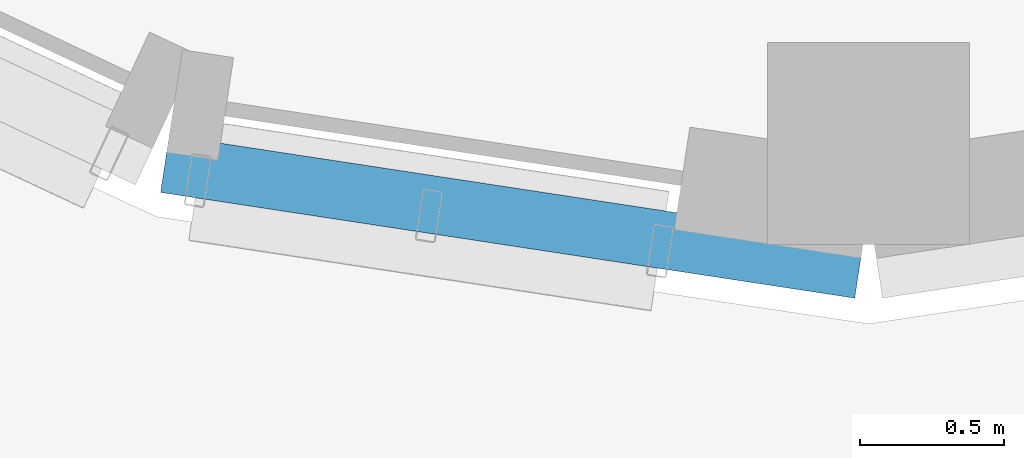
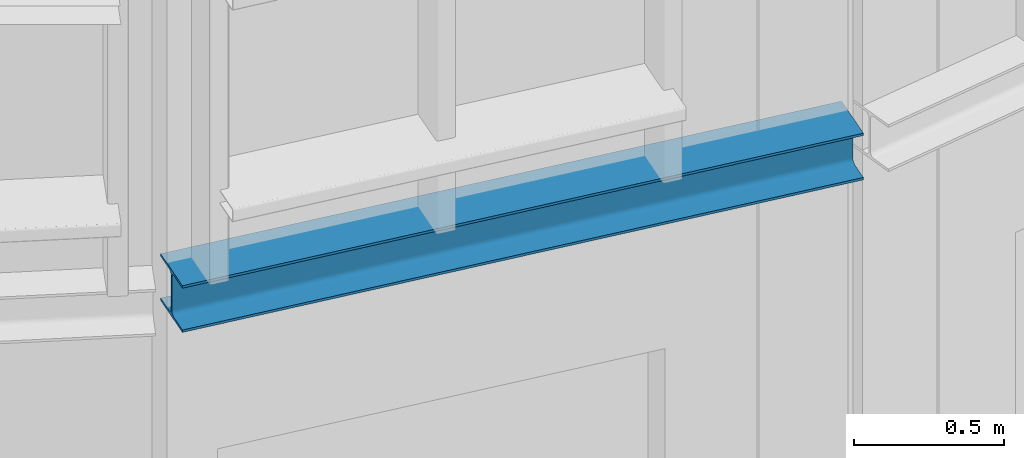
# One storey, part 135 of 372: 1 beam.
"""IFC4 building model written with IfcOpenShell, lengths in metres."""

from ifc_helpers import new_model, si_unit, direction, frame, origin, origin_2d, place, context, subcontext, project, spatial, i_section, extrude, material, material_profile, profile_set, type_object, element, save


model = new_model("IFC4")

# Units and contexts
model_context = context("Model", 3, precision=1e-05, world=origin(), true_north=direction((0.0, 1.0)))
body_context = subcontext(model_context, "Body", "Model", "MODEL_VIEW")
ifc_project = project(units=[si_unit("LENGTHUNIT", "METRE"), si_unit("AREAUNIT", "SQUARE_METRE"), si_unit("VOLUMEUNIT", "CUBIC_METRE"), si_unit("PLANEANGLEUNIT", "RADIAN"), si_unit("MASSUNIT", "GRAM", prefix="KILO")], contexts=[model_context])

# Site, building, storey
site_placement = place(None, origin())
site = spatial("IfcSite", under=ifc_project, at=site_placement, CompositionType="ELEMENT")
building_placement = place(site_placement, origin())
building = spatial("IfcBuilding", under=site, at=building_placement, Name="Kaelora Sail Theatre", CompositionType="ELEMENT")
storey_placement = place(building_placement, origin())
storey = spatial("IfcBuildingStorey", under=building, at=storey_placement, Name="L00", CompositionType="ELEMENT", Elevation=0.0)

# Beam
ifc_material = material(Name="Steel S355", Category="steel")
ifc_material_profile = material_profile(ifc_material, i_section(OverallWidth=0.199951171875, OverallDepth=0.18994140625, WebThickness=0.006591796875, FlangeThickness=0.010009765625, FilletRadius=0.01806640625, at=origin_2d()), Name="HEA 200")
ifc_profile_set = profile_set([ifc_material_profile], Name="Steel S355")
beam_type = type_object("IfcBeamType", Name="STR-BM-BM-HEA200", PredefinedType="BEAM", material=ifc_profile_set)
beam_placement = place(storey_placement, frame((90.56689453125, 31.04248046875, 3.0048828125), z_axis=(-0.988599043905, 0.150572010645, 0.0), x_axis=(-0.150572010645, -0.988599043905, 0.0)))
element("IfcBeam", 1, at=beam_placement, inside=storey, type_object=beam_type, Name="Studio Theatre Sail Drum brise-soleil portal lintel beam C11", PredefinedType="BEAM", context=body_context, shape_type="SweptSolid", body=[
    extrude(i_section(OverallWidth=0.199951171875, OverallDepth=0.18994140625, WebThickness=0.006591796875, FlangeThickness=0.010009765625, FilletRadius=0.01806640625, at=origin_2d()), origin(), (0.0, 0.0, 1.0), 2.433837890625),
])

save(model, "model.ifc")
